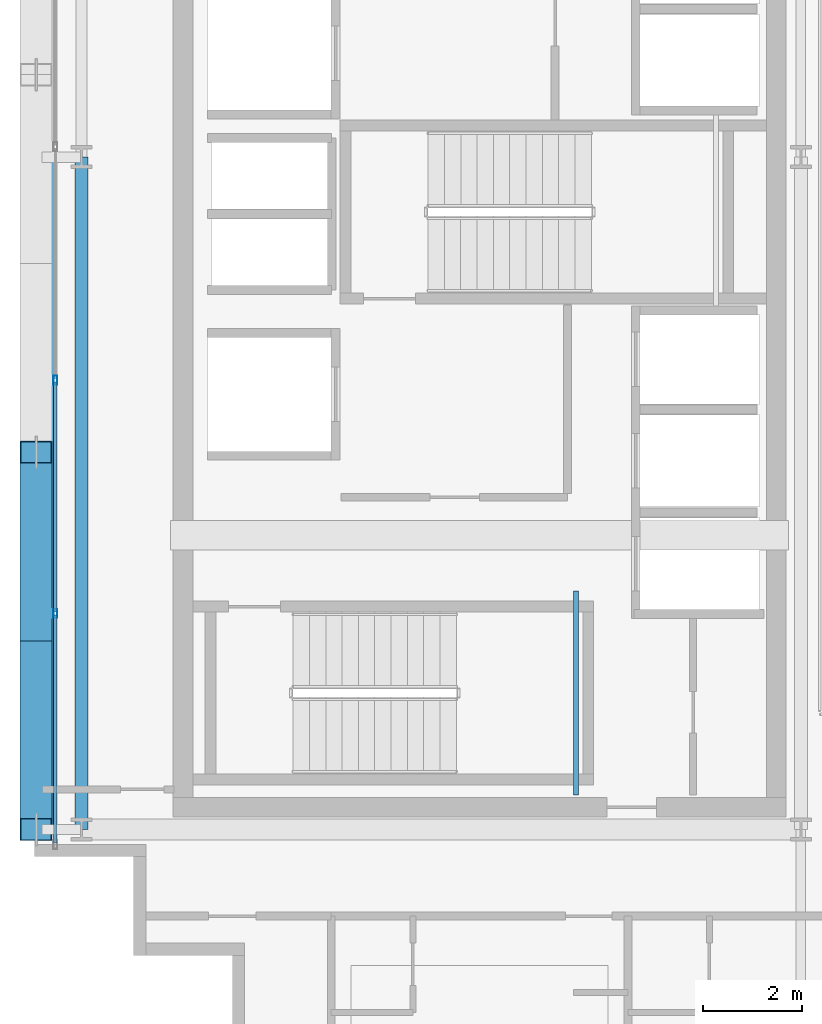
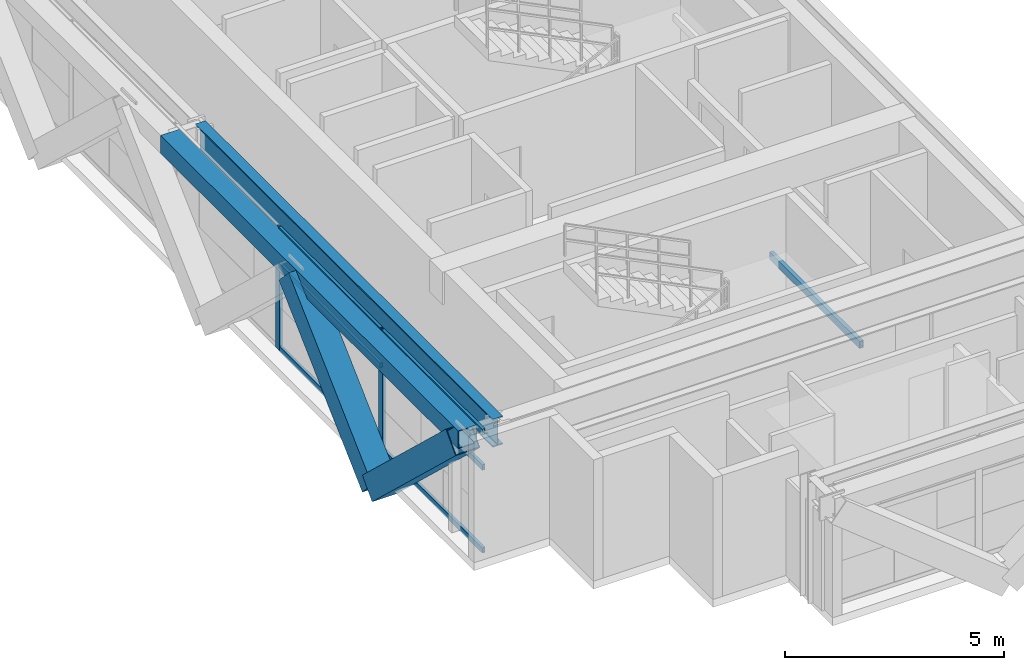
# One storey, part 3 of 28: 10 members, 3 beams, 1 element without a shape of its own.
"""IFC4 building model written with IfcOpenShell, lengths in metres."""

import ifcopenshell
import ifcopenshell.guid

model = None  # the IFC model being written
_history = None  # IfcOwnerHistory: only IFC2X3 demands one
_inside = {}  # id of a spatial element -> (the spatial element, [elements in it])
_under = {}  # id of a project, library or spatial element -> (it, [spatial elements below it])
_declared = {}  # id of a project -> (the project, [libraries it declares])
_typed = {}  # id of a type object -> (the type object, [elements of that type])
_made_of = {}  # id of a material, layer set ... -> (it, [elements and type objects made of it])


def new_model(schema):
    """Start an empty IFC model of exactly this schema.

    Asked for "IFC4X3", IfcOpenShell would pick the latest addendum, in which some entities
    have other attributes; the version numbers below select the first issue.
    IFC2X3 requires an IfcOwnerHistory on every rooted entity: one is made here for all.
    """
    global model, _history
    if schema == "IFC4X3":
        model = ifcopenshell.file(schema_version=(4, 3, 0, 0))
    else:
        model = ifcopenshell.file(schema=schema)
    _inside.clear()
    _under.clear()
    _declared.clear()
    _typed.clear()
    _made_of.clear()
    _history = None
    if model.schema == "IFC2X3":
        org = make("IfcOrganization", Name="unknown")
        user = make(
            "IfcPersonAndOrganization",
            ThePerson=make("IfcPerson", FamilyName="unknown"),
            TheOrganization=org,
        )
        app = make(
            "IfcApplication",
            ApplicationDeveloper=org,
            Version="unknown",
            ApplicationFullName="unknown",
            ApplicationIdentifier="unknown",
        )
        _history = make(
            "IfcOwnerHistory",
            OwningUser=user,
            OwningApplication=app,
            ChangeAction="ADDED",
            CreationDate=0,
        )
    return model


def make(cls, **values):
    """One entity of the class cls with the attributes given. An attribute that is None is left unset."""
    return model.create_entity(
        cls, **{name: value for name, value in values.items() if value is not None}
    )


def rooted(cls, **values):
    """An entity with a GlobalId (a new one), such as an element, a storey or a relation."""
    return make(cls, GlobalId=ifcopenshell.guid.new(), OwnerHistory=_history, **values)


def si_unit(unit_type, name, prefix=None):
    """IfcSIUnit, for example si_unit("LENGTHUNIT", "METRE", prefix="MILLI")."""
    return make("IfcSIUnit", UnitType=unit_type, Prefix=prefix, Name=name)


def assignment(units):
    """IfcUnitAssignment: the units of a project."""
    return None if units is None else make("IfcUnitAssignment", Units=units)


def point(xyz):
    """IfcCartesianPoint."""
    return None if xyz is None else make("IfcCartesianPoint", Coordinates=xyz)


def direction(xyz):
    """IfcDirection."""
    return None if xyz is None else make("IfcDirection", DirectionRatios=xyz)


def frame(location, z_axis=None, x_axis=None):
    """IfcAxis2Placement3D, a coordinate frame: its origin and axes. An axis left out is left unset."""
    return make(
        "IfcAxis2Placement3D",
        Location=point(location),
        Axis=direction(z_axis),
        RefDirection=direction(x_axis),
    )


def frame_2d(location, x_axis=None):
    """IfcAxis2Placement2D, a coordinate frame in the plane: its origin and x axis."""
    return make(
        "IfcAxis2Placement2D", Location=point(location), RefDirection=direction(x_axis)
    )


def origin():
    """The frame at (0, 0, 0) with its axes left unset."""
    return frame((0.0, 0.0, 0.0))


def origin_2d():
    """The frame at (0, 0) in the plane with its x axis left unset."""
    return frame_2d((0.0, 0.0))


def place(relative_to, where):
    """IfcLocalPlacement: puts the frame where relative to a parent placement (None: the world)."""
    return make(
        "IfcLocalPlacement", PlacementRelTo=relative_to, RelativePlacement=where
    )


def context(
    kind, dimensions, precision=None, world=None, true_north=None, identifier=None
):
    """IfcGeometricRepresentationContext, for example the 3D "Model" context."""
    return make(
        "IfcGeometricRepresentationContext",
        ContextIdentifier=identifier,
        ContextType=kind,
        CoordinateSpaceDimension=dimensions,
        Precision=precision,
        WorldCoordinateSystem=world,
        TrueNorth=true_north,
    )


def subcontext(parent, identifier, kind, view, scale=None):
    """IfcGeometricRepresentationSubContext, for example "Body" below "Model"."""
    return make(
        "IfcGeometricRepresentationSubContext",
        ContextIdentifier=identifier,
        ContextType=kind,
        ParentContext=parent,
        TargetScale=scale,
        TargetView=view,
    )


def project(units=None, contexts=None):
    """IfcProject with its units and contexts."""
    return rooted(
        "IfcProject",
        Name="project",
        RepresentationContexts=contexts,
        UnitsInContext=assignment(units),
    )


def spatial(cls, under=None, at=None, **own):
    """A site, building, storey or space (cls), placed at a placement, below another one or the project."""
    s = rooted(cls, ObjectPlacement=at, **own)
    if under is not None:
        _under.setdefault(under.id(), (under, []))[1].append(s)
    return s


def profile(cls, at=None, kind="AREA", **sizes):
    """A parametric profile (cls). Its sizes go by their IFC names, for example OverallWidth=200.0."""
    return make(cls, ProfileType=kind, Position=at, **sizes)


def hollow_rectangle(**sizes):
    """IfcRectangleHollowProfileDef."""
    return profile("IfcRectangleHollowProfileDef", **sizes)


def i_section(**sizes):
    """IfcIShapeProfileDef."""
    return profile("IfcIShapeProfileDef", **sizes)


def extrude(swept, where, along, depth):
    """IfcExtrudedAreaSolid: the profile swept, set in the frame where, extruded along a direction by depth."""
    return make(
        "IfcExtrudedAreaSolid",
        SweptArea=swept,
        Position=where,
        ExtrudedDirection=direction(along),
        Depth=depth,
    )


def shape(context_of_items, identifier, shape_type, items):
    """IfcShapeRepresentation: the items that make up one representation, for example the "Body"."""
    return make(
        "IfcShapeRepresentation",
        ContextOfItems=context_of_items,
        RepresentationIdentifier=identifier,
        RepresentationType=shape_type,
        Items=items,
    )


def source(mapping_origin, context_of_items, identifier, shape_type, items):
    """IfcRepresentationMap: a shape defined once, which mapped items show again and again."""
    return make(
        "IfcRepresentationMap",
        MappingOrigin=mapping_origin,
        MappedRepresentation=shape(context_of_items, identifier, shape_type, items),
    )


def transform(
    local_origin,
    x_axis=None,
    y_axis=None,
    z_axis=None,
    scale=None,
    scale2=None,
    scale3=None,
    uniform=True,
):
    """IfcCartesianTransformationOperator3D, or its non-uniform kind. x_axis, y_axis, z_axis: its Axis1, 2, 3."""
    if uniform:
        return make(
            "IfcCartesianTransformationOperator3D",
            Axis1=direction(x_axis),
            Axis2=direction(y_axis),
            LocalOrigin=point(local_origin),
            Scale=scale,
            Axis3=direction(z_axis),
        )
    return make(
        "IfcCartesianTransformationOperator3DnonUniform",
        Axis1=direction(x_axis),
        Axis2=direction(y_axis),
        LocalOrigin=point(local_origin),
        Scale=scale,
        Axis3=direction(z_axis),
        Scale2=scale2,
        Scale3=scale3,
    )


def mapped(mapping_source, mapping_target):
    """IfcMappedItem: shows the shape of a source again, moved by a transform."""
    return make(
        "IfcMappedItem", MappingSource=mapping_source, MappingTarget=mapping_target
    )


def material(Name=None, Category=None):
    """IfcMaterial."""
    return make("IfcMaterial", Name=Name, Category=Category)


def layer(
    of_material, thickness, ventilated=None, Name=None, Category=None, Priority=None
):
    """IfcMaterialLayer: one layer of a wall or slab, of a material (None: an air gap)."""
    return make(
        "IfcMaterialLayer",
        Material=of_material,
        LayerThickness=thickness,
        IsVentilated=ventilated,
        Name=Name,
        Category=Category,
        Priority=Priority,
    )


def layer_set(layers, Name=None):
    """IfcMaterialLayerSet."""
    return make("IfcMaterialLayerSet", MaterialLayers=layers, LayerSetName=Name)


def material_profile(
    of_material, cross_section, Name=None, Category=None, Priority=None
):
    """IfcMaterialProfile: a cross section and its material."""
    return make(
        "IfcMaterialProfile",
        Name=Name,
        Material=of_material,
        Profile=cross_section,
        Priority=Priority,
        Category=Category,
    )


def profile_set(profiles, Name=None, composite=None):
    """IfcMaterialProfileSet."""
    return make(
        "IfcMaterialProfileSet",
        Name=Name,
        MaterialProfiles=profiles,
        CompositeProfile=composite,
    )


def made_of(thing, what):
    """Note that an element or type object is made of a material, layer set ...; save() writes the relation."""
    if what is not None:
        _made_of.setdefault(what.id(), (what, []))[1].append(thing)
    return thing


def type_object(cls, material=None, **own):
    """A type object (cls), such as IfcWallType, which elements share."""
    return made_of(rooted(cls, **own), material)


def element(
    cls,
    number,
    at=None,
    inside=None,
    cuts=None,
    type_object=None,
    material=None,
    context=None,
    identifier="Body",
    shape_type=None,
    held_by="IfcProductDefinitionShape",
    body=None,
    shapes=None,
    **own,
):
    """One element of the class cls, such as IfcWall. Its Tag is "e" and its number.

    at: its placement. inside: the storey or other place that contains it. cuts: it is an
    opening in that element (IfcRelVoidsElement). A single representation is given by context,
    identifier, shape_type and body (its items); several are given by shapes. held_by: the class
    of the entity that holds the representations. save() writes the other relations.
    """
    e = rooted(cls, Tag="e%d" % number, ObjectPlacement=at, **own)
    if body is not None:
        shapes = [shape(context, identifier, shape_type, body)]
    if shapes is not None:
        e.Representation = make(held_by, Representations=shapes)
    if inside is not None:
        _inside.setdefault(inside.id(), (inside, []))[1].append(e)
    if cuts is not None:
        rooted(
            "IfcRelVoidsElement", RelatingBuildingElement=cuts, RelatedOpeningElement=e
        )
    if type_object is not None:
        _typed.setdefault(type_object.id(), (type_object, []))[1].append(e)
    return made_of(e, material)


def aggregate(whole, parts):
    """IfcRelAggregates: a whole, such as a stair, and the parts it consists of."""
    return rooted("IfcRelAggregates", RelatingObject=whole, RelatedObjects=parts)


def save(model, path):
    """Write the relations noted so far, then the file.

    IfcRelAggregates (storeys below a building ...), IfcRelContainedInSpatialStructure (elements
    in a storey), IfcRelDefinesByType, IfcRelAssociatesMaterial and IfcRelDeclares: one each for
    every whole, place, type object, material and project.
    """
    for whole, parts in _under.values():
        aggregate(whole, parts)
    for where, things in _inside.values():
        rooted(
            "IfcRelContainedInSpatialStructure",
            RelatedElements=things,
            RelatingStructure=where,
        )
    for kind, things in _typed.values():
        rooted("IfcRelDefinesByType", RelatedObjects=things, RelatingType=kind)
    for what, things in _made_of.values():
        rooted("IfcRelAssociatesMaterial", RelatedObjects=things, RelatingMaterial=what)
    for by, libraries in _declared.values():
        rooted("IfcRelDeclares", RelatingContext=by, RelatedDefinitions=libraries)
    model.write(path)


model = new_model("IFC4")

# Units and contexts
model_context = context("Model", 3, precision=1e-05, world=origin(), true_north=direction((0.0, 1.0)))
body_context = subcontext(model_context, "Body", "Model", "MODEL_VIEW")
ifc_project = project(units=[si_unit("LENGTHUNIT", "METRE"), si_unit("AREAUNIT", "SQUARE_METRE"), si_unit("VOLUMEUNIT", "CUBIC_METRE"), si_unit("PLANEANGLEUNIT", "RADIAN"), si_unit("MASSUNIT", "GRAM", prefix="KILO")], contexts=[model_context])

# Site, building, storey
site_placement = place(None, origin())
site = spatial("IfcSite", under=ifc_project, at=site_placement, CompositionType="ELEMENT")
building_placement = place(site_placement, origin())
building = spatial("IfcBuilding", under=site, at=building_placement, Name="Ocotamira Hotel", CompositionType="ELEMENT")
storey_placement = place(building_placement, frame((0.0, 0.0, 240.0)))
storey = spatial("IfcBuildingStorey", under=building, at=storey_placement, Name="L60", CompositionType="ELEMENT", Elevation=240.0)

# Beams
ifc_material_1 = material(Name="Steel ASTM A500 Grade C", Category="steel")
ifc_material_profile_1 = material_profile(ifc_material_1, hollow_rectangle(XDim=0.10009765625, YDim=0.199951171875, WallThickness=0.008056640625, at=origin_2d()), Name="HSS200X100X8")
ifc_profile_set_1 = profile_set([ifc_material_profile_1], Name="Steel ASTM A500 Grade C")
beam_type_1 = type_object("IfcBeamType", Name="BM-STLDG-HSS200", PredefinedType="BEAM", material=ifc_profile_set_1)
shared_shape_1 = source(origin(), body_context, "Body", "SweptSolid", [
    extrude(hollow_rectangle(XDim=0.10009765625, YDim=0.199951171875, WallThickness=0.008056640625, at=origin_2d()), origin(), (0.0, 0.0, 1.0), 4.1201171875),
])
beam_1_placement = place(storey_placement, frame((18.949951171875, 15.25, 1.5), z_axis=(0.0, 1.0, 0.0), x_axis=(-1.0, 0.0, 0.0)))
element("IfcBeam", 1, at=beam_1_placement, inside=storey, type_object=beam_type_1, Name="L60 Stair ST-1 Landing Bearer 1", PredefinedType="BEAM", context=body_context, shape_type="MappedRepresentation", body=[
    mapped(shared_shape_1, transform((0.0, 0.0, 0.0), scale=1.0)),
])
ifc_material_2 = material(Name="Steel ASTM A992 Grade 50", Category="steel")
ifc_material_profile_2 = material_profile(ifc_material_2, i_section(OverallWidth=0.26611328125, OverallDepth=0.779052734375, WebThickness=0.0166015625, FlangeThickness=0.030029296875, FilletRadius=0.01806640625, at=origin_2d()), Name="W30X148")
ifc_profile_set_2 = profile_set([ifc_material_profile_2], Name="Steel ASTM A992 Grade 50")
beam_type_2 = type_object("IfcBeamType", Name="BM-GIRD-W30X148", PredefinedType="BEAM", material=ifc_profile_set_2)
shared_shape_2 = source(origin(), body_context, "Body", "SweptSolid", [
    extrude(i_section(OverallWidth=0.26611328125, OverallDepth=0.779052734375, WebThickness=0.0166015625, FlangeThickness=0.030029296875, FilletRadius=0.01806640625, at=origin_2d()), origin(), (0.0, 0.0, 1.0), 13.599853515625),
])
beam_2_placement = place(storey_placement, frame((8.949951171875, 14.550048828125, 2.990478515625), z_axis=(0.0, 1.0, 0.0), x_axis=(-1.0, 0.0, 0.0)))
element("IfcBeam", 2, at=beam_2_placement, inside=storey, type_object=beam_type_2, Name="L60 Beam X8.95 Y14.55-28.15", PredefinedType="BEAM", context=body_context, shape_type="MappedRepresentation", body=[
    mapped(shared_shape_2, transform((0.0, 0.0, 0.0), scale=1.0)),
])
ifc_material_profile_3 = material_profile(ifc_material_1, hollow_rectangle(XDim=0.5, YDim=0.5, WallThickness=0.02001953125, at=origin_2d()), Name="HSS500X500X20")
ifc_profile_set_3 = profile_set([ifc_material_profile_3], Name="Steel ASTM A500 Grade C")
beam_type_3 = type_object("IfcBeamType", Name="BM-SPAN-HSS500", PredefinedType="USERDEFINED", material=ifc_profile_set_3)
shared_shape_3 = source(origin(), body_context, "Body", "SweptSolid", [
    extrude(hollow_rectangle(XDim=0.5, YDim=0.5, WallThickness=0.02001953125, at=origin_2d()), origin(), (0.0, 0.0, 1.0), 13.599853515625),
])
beam_3_placement = place(storey_placement, frame((8.14990234375, 14.550048828125, 3.1298828125), z_axis=(0.0, 1.0, 0.0), x_axis=(-1.0, 0.0, 0.0)))
element("IfcBeam", 3, at=beam_3_placement, inside=storey, type_object=beam_type_3, Name="L60 Edge Spandrel W Y14.55-28.15", ObjectType="SPANDREL", PredefinedType="USERDEFINED", context=body_context, shape_type="MappedRepresentation", body=[
    mapped(shared_shape_3, transform((0.0, 0.0, 0.0), scale=1.0)),
])

# Members
ifc_material_3 = material(Name="Pale-metal coated steel ASTM A913 Grade 65", Category="steel")
ifc_material_profile_4 = material_profile(ifc_material_3, hollow_rectangle(XDim=0.64990234375, YDim=0.64990234375, WallThickness=0.02197265625, at=origin_2d()), Name="BOX650X650X22")
ifc_profile_set_4 = profile_set([ifc_material_profile_4], Name="Pale-metal coated steel ASTM A913 Grade 65")
member_type_1 = type_object("IfcMemberType", Name="MEM-EXO-BOX650", PredefinedType="BRACE", material=ifc_profile_set_4)
shared_shape_4 = source(origin(), body_context, "Body", "SweptSolid", [
    extrude(hollow_rectangle(XDim=0.64990234375, YDim=0.64990234375, WallThickness=0.02197265625, at=origin_2d()), origin(), (0.0, 0.0, 1.0), 5.24658203125),
])
for number, where, z_axis, x_axis, name in (
    (4, (8.030029296875, 18.36669921875, -0.469970703125), (0.0, -0.72746596067, 0.686143772154), (1.0, 0.0, 0.0), "L60 Exoskeleton Diagrid W0.1"),
    (5, (8.030029296875, 18.36669921875, -0.469970703125), (0.0, 0.72746596067, 0.686143772154), (-1.0, 0.0, 0.0), "L60 Exoskeleton Diagrid W0.2"),
):
    element("IfcMember", number, at=place(storey_placement, frame(where, z_axis=z_axis, x_axis=x_axis)), inside=storey, type_object=member_type_1, Name=name, PredefinedType="BRACE", context=body_context, shape_type="MappedRepresentation", body=[
        mapped(shared_shape_4, transform((0.0, 0.0, 0.0), scale=1.0)),
    ])

# Curtain wall, members
ifc_material_4 = material(Name="Anodised pale-metal aluminium and solar glass", Category="aluminium")
ifc_layer = layer(ifc_material_4, 0.239990234375)
ifc_layer_set = layer_set([ifc_layer], Name="Anodised pale-metal aluminium and solar glass")
curtain_wall_type = type_object("IfcCurtainWallType", Name="CW-SYS5-SKY", PredefinedType="NOTDEFINED", material=ifc_layer_set)
curtain_wall_placement = place(storey_placement, origin())
curtain_wall = element("IfcCurtainWall", 6, at=curtain_wall_placement, inside=storey, type_object=curtain_wall_type, Name="L60 Curtain Wall CW-5 CW-L60-W", PredefinedType="NOTDEFINED")
ifc_material_5 = material(Name="Anodised pale-metal aluminium 6063-T6", Category="aluminium")
ifc_material_profile_5 = material_profile(ifc_material_5, hollow_rectangle(XDim=0.080078125, YDim=0.179931640625, WallThickness=0.006103515625, at=origin_2d()), Name="HSS180X80X6")
ifc_profile_set_5 = profile_set([ifc_material_profile_5], Name="Anodised pale-metal aluminium 6063-T6")
member_type_2 = type_object("IfcMemberType", Name="CWM-180X75", PredefinedType="MULLION", material=ifc_profile_set_5)
shared_shape_5 = source(origin(), body_context, "Body", "SweptSolid", [
    extrude(hollow_rectangle(XDim=0.080078125, YDim=0.179931640625, WallThickness=0.006103515625, at=origin_2d()), origin(), (0.0, 0.0, 1.0), 3.3798828125),
])
member_1_placement = place(storey_placement, frame((8.419921875, 18.919921875, 0.0), z_axis=(0.0, 0.0, 1.0), x_axis=(-1.0, 0.0, 0.0)))
member_1 = element("IfcMember", 7, at=member_1_placement, type_object=member_type_2, Name="CW-5 mullion 2", PredefinedType="MULLION", context=body_context, shape_type="MappedRepresentation", body=[
    mapped(shared_shape_5, transform((0.0, 0.0, 0.0), scale=1.0)),
])
member_2_placement = place(storey_placement, frame((8.419921875, 23.639892578125, 0.0), z_axis=(0.0, 0.0, 1.0), x_axis=(-1.0, 0.0, 0.0)))
member_2 = element("IfcMember", 8, at=member_2_placement, type_object=member_type_2, Name="CW-5 mullion 3", PredefinedType="MULLION", context=body_context, shape_type="MappedRepresentation", body=[
    mapped(shared_shape_5, transform((0.0, 0.0, 0.0), scale=1.0)),
])
ifc_material_profile_6 = material_profile(ifc_material_5, hollow_rectangle(XDim=0.074951171875, YDim=0.14990234375, WallThickness=0.006103515625, at=origin_2d()), Name="HSS150X75X6")
ifc_profile_set_6 = profile_set([ifc_material_profile_6], Name="Anodised pale-metal aluminium 6063-T6")
member_type_3 = type_object("IfcMemberType", Name="CWT-150X75", PredefinedType="USERDEFINED", material=ifc_profile_set_6)
shared_shape_6 = source(origin(), body_context, "Body", "SweptSolid", [
    extrude(hollow_rectangle(XDim=0.074951171875, YDim=0.14990234375, WallThickness=0.006103515625, at=origin_2d()), origin(), (0.0, 0.0, 1.0), 4.599853515625),
])
member_3_placement = place(storey_placement, frame((8.419921875, 14.280029296875, 0.03759765625), z_axis=(0.0, 1.0, 0.0), x_axis=(-1.0, 0.0, 0.0)))
member_3 = element("IfcMember", 9, at=member_3_placement, type_object=member_type_3, Name="CW-5 transom 1.1", ObjectType="TRANSOM", PredefinedType="USERDEFINED", context=body_context, shape_type="MappedRepresentation", body=[
    mapped(shared_shape_6, transform((0.0, 0.0, 0.0), scale=1.0)),
])
member_4_placement = place(storey_placement, frame((8.419921875, 14.280029296875, 2.35009765625), z_axis=(0.0, 1.0, 0.0), x_axis=(-1.0, 0.0, 0.0)))
member_4 = element("IfcMember", 10, at=member_4_placement, type_object=member_type_3, Name="CW-5 transom 1.2", ObjectType="TRANSOM", PredefinedType="USERDEFINED", context=body_context, shape_type="MappedRepresentation", body=[
    mapped(shared_shape_6, transform((0.0, 0.0, 0.0), scale=1.0)),
])
member_5_placement = place(storey_placement, frame((8.419921875, 14.280029296875, 3.342529296875), z_axis=(0.0, 1.0, 0.0), x_axis=(-1.0, 0.0, 0.0)))
member_5 = element("IfcMember", 11, at=member_5_placement, type_object=member_type_3, Name="CW-5 transom 1.3", ObjectType="TRANSOM", PredefinedType="USERDEFINED", context=body_context, shape_type="MappedRepresentation", body=[
    mapped(shared_shape_6, transform((0.0, 0.0, 0.0), scale=1.0)),
])
shared_shape_7 = source(origin(), body_context, "Body", "SweptSolid", [
    extrude(hollow_rectangle(XDim=0.074951171875, YDim=0.14990234375, WallThickness=0.006103515625, at=origin_2d()), origin(), (0.0, 0.0, 1.0), 4.64013671875),
])
member_6_placement = place(storey_placement, frame((8.419921875, 18.9599609375, 0.03759765625), z_axis=(0.0, 1.0, 0.0), x_axis=(-1.0, 0.0, 0.0)))
member_6 = element("IfcMember", 12, at=member_6_placement, type_object=member_type_3, Name="CW-5 transom 2.1", ObjectType="TRANSOM", PredefinedType="USERDEFINED", context=body_context, shape_type="MappedRepresentation", body=[
    mapped(shared_shape_7, transform((0.0, 0.0, 0.0), scale=1.0)),
])
member_7_placement = place(storey_placement, frame((8.419921875, 18.9599609375, 2.35009765625), z_axis=(0.0, 1.0, 0.0), x_axis=(-1.0, 0.0, 0.0)))
member_7 = element("IfcMember", 13, at=member_7_placement, type_object=member_type_3, Name="CW-5 transom 2.2", ObjectType="TRANSOM", PredefinedType="USERDEFINED", context=body_context, shape_type="MappedRepresentation", body=[
    mapped(shared_shape_7, transform((0.0, 0.0, 0.0), scale=1.0)),
])
member_8_placement = place(storey_placement, frame((8.419921875, 18.9599609375, 3.342529296875), z_axis=(0.0, 1.0, 0.0), x_axis=(-1.0, 0.0, 0.0)))
member_8 = element("IfcMember", 14, at=member_8_placement, type_object=member_type_3, Name="CW-5 transom 2.3", ObjectType="TRANSOM", PredefinedType="USERDEFINED", context=body_context, shape_type="MappedRepresentation", body=[
    mapped(shared_shape_7, transform((0.0, 0.0, 0.0), scale=1.0)),
])
aggregate(curtain_wall, [member_1, member_2, member_3, member_4, member_5, member_6, member_7, member_8])

save(model, "model.ifc")
